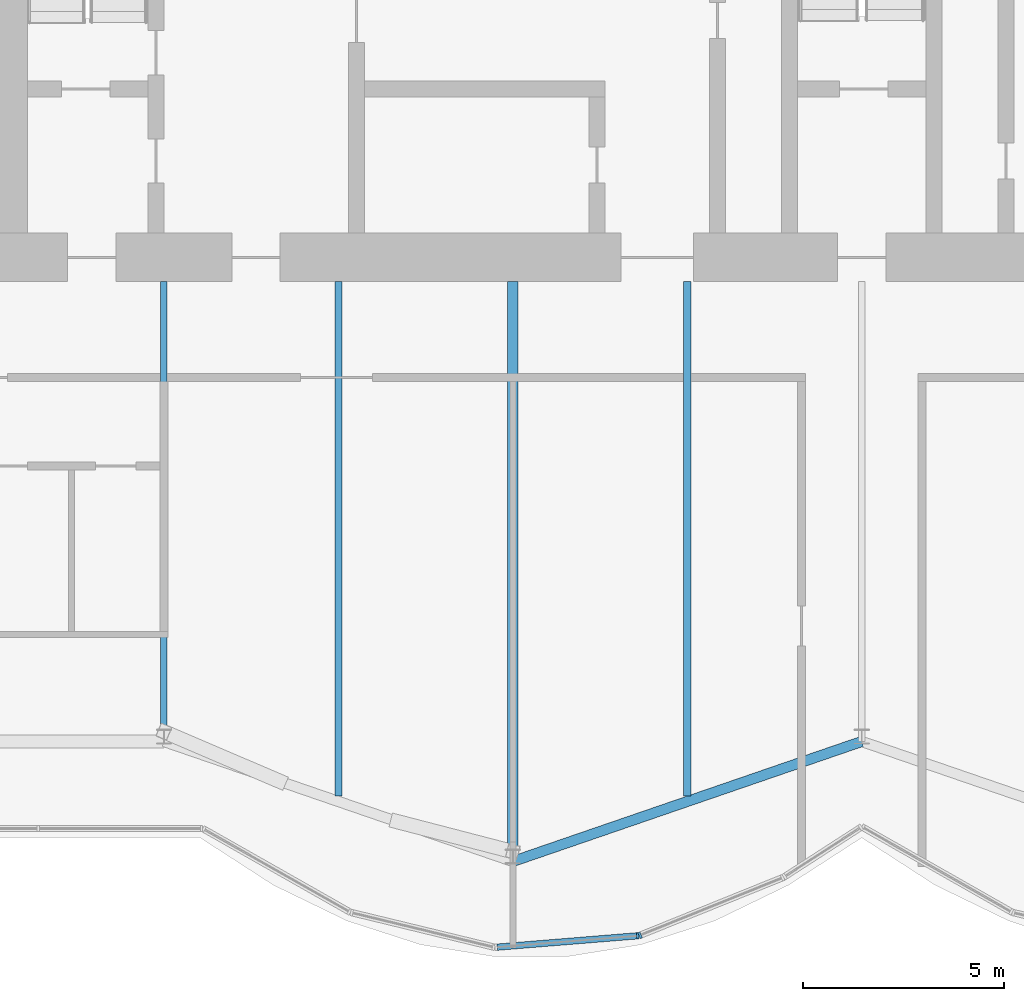
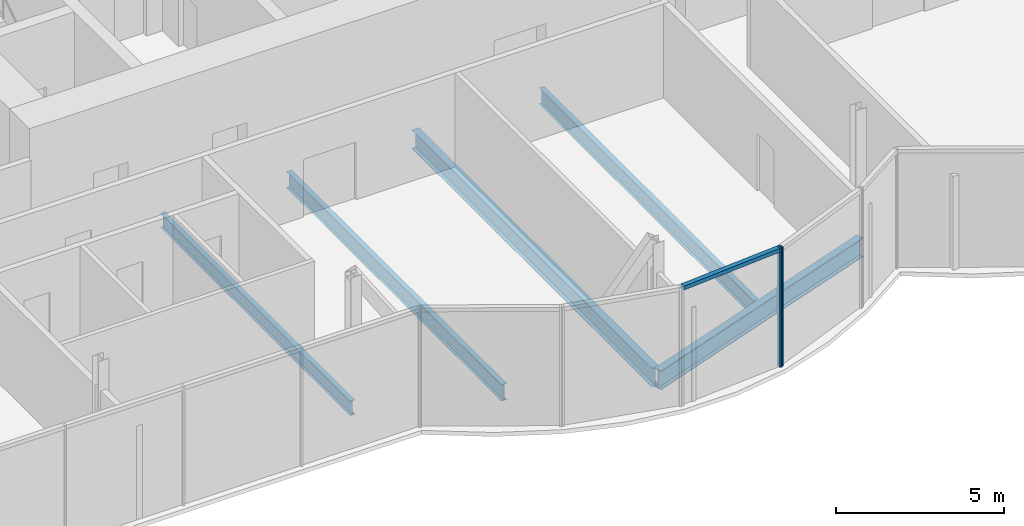
# One storey, part 6 of 18: 5 beams, 3 members, 1 element without a shape of its own.
"""IFC4 building model written with IfcOpenShell, lengths in metres."""

from ifc_helpers import new_model, si_unit, direction, frame, origin, origin_2d, place, context, subcontext, project, spatial, rectangle, i_section, extrude, material, material_profile, profile_set, type_object, element, aggregate, save


model = new_model("IFC4")

# Units and contexts
model_context = context("Model", 3, precision=1e-05, world=origin(), true_north=direction((0.0, 1.0)))
body_context = subcontext(model_context, "Body", "Model", "MODEL_VIEW")
ifc_project = project(units=[si_unit("LENGTHUNIT", "METRE"), si_unit("AREAUNIT", "SQUARE_METRE"), si_unit("VOLUMEUNIT", "CUBIC_METRE"), si_unit("PLANEANGLEUNIT", "RADIAN"), si_unit("MASSUNIT", "GRAM", prefix="KILO")], contexts=[model_context])

# Site, building, storey
site_placement = place(None, origin())
site = spatial("IfcSite", under=ifc_project, at=site_placement, CompositionType="ELEMENT")
building_placement = place(site_placement, origin())
building = spatial("IfcBuilding", under=site, at=building_placement, Name="Bicima Exchange Tower", CompositionType="ELEMENT")
storey_placement = place(building_placement, frame((0.0, 0.0, 302.0)))
storey = spatial("IfcBuildingStorey", under=building, at=storey_placement, Name="L68", CompositionType="ELEMENT", Elevation=302.0)

# Beams
ifc_material_1 = material(Name="Steel ASTM A992 Gr 50", Category="steel")
ifc_material_profile_1 = material_profile(ifc_material_1, i_section(OverallWidth=0.165771484375, OverallDepth=0.5283203125, WebThickness=0.009765625, FlangeThickness=0.013671875, at=origin_2d()))
ifc_profile_set_1 = profile_set([ifc_material_profile_1], Name="Steel ASTM A992 Gr 50")
beam_type_1 = type_object("IfcBeamType", Name="Floor beam W21x50", PredefinedType="JOIST", material=ifc_profile_set_1)
beam_1_placement = place(storey_placement, frame((-17.39990234375, -13.0, -0.414306640625), z_axis=(0.0, -1.0, 0.0), x_axis=(1.0, 0.0, 0.0)))
element("IfcBeam", 1, at=beam_1_placement, inside=storey, type_object=beam_type_1, Name="Floor beam", PredefinedType="JOIST", context=body_context, shape_type="SweptSolid", body=[
    extrude(i_section(OverallWidth=0.165771484375, OverallDepth=0.5283203125, WebThickness=0.009765625, FlangeThickness=0.013671875, at=origin_2d()), origin(), (0.0, 0.0, 1.0), 11.309326171875),
])
ifc_material_profile_2 = material_profile(ifc_material_1, i_section(OverallWidth=0.177978515625, OverallDepth=0.599365234375, WebThickness=0.010009765625, FlangeThickness=0.012939453125, at=origin_2d()))
ifc_profile_set_2 = profile_set([ifc_material_profile_2], Name="Steel ASTM A992 Gr 50")
beam_type_2 = type_object("IfcBeamType", Name="Floor beam W24x55", PredefinedType="JOIST", material=ifc_profile_set_2)
for number, where, z_axis, x_axis, name in (
    (2, (-13.050048828125, -13.0, -0.44970703125), (0.0, -1.0, 0.0), (1.0, 0.0, 0.0), "Floor beam"),
    (3, (-4.35009765625, -13.0, -0.44970703125), (0.0, -1.0, 0.0), (1.0, 0.0, 0.0), "Floor beam"),
):
    element("IfcBeam", number, at=place(storey_placement, frame(where, z_axis=z_axis, x_axis=x_axis)), inside=storey, type_object=beam_type_2, Name=name, PredefinedType="JOIST", context=body_context, shape_type="SweptSolid", body=[
        extrude(i_section(OverallWidth=0.177978515625, OverallDepth=0.599365234375, WebThickness=0.010009765625, FlangeThickness=0.012939453125, at=origin_2d()), origin(), (0.0, 0.0, 1.0), 12.831787109375),
    ])
ifc_material_profile_3 = material_profile(ifc_material_1, i_section(OverallWidth=0.25390625, OverallDepth=0.67822265625, WebThickness=0.01171875, FlangeThickness=0.016357421875, at=origin_2d()))
ifc_profile_set_3 = profile_set([ifc_material_profile_3], Name="Steel ASTM A992 Gr 50")
beam_type_3 = type_object("IfcBeamType", Name="Floor beam W27x84", PredefinedType="JOIST", material=ifc_profile_set_3)
beam_2_placement = place(storey_placement, frame((-8.699951171875, -13.0, -0.489013671875), z_axis=(0.0, -1.0, 0.0), x_axis=(1.0, 0.0, 0.0)))
element("IfcBeam", 4, at=beam_2_placement, inside=storey, type_object=beam_type_3, Name="Floor beam", PredefinedType="JOIST", context=body_context, shape_type="SweptSolid", body=[
    extrude(i_section(OverallWidth=0.25390625, OverallDepth=0.67822265625, WebThickness=0.01171875, FlangeThickness=0.016357421875, at=origin_2d()), origin(), (0.0, 0.0, 1.0), 14.327392578125),
])
ifc_material_profile_4 = material_profile(ifc_material_1, i_section(OverallWidth=0.256591796875, OverallDepth=0.693359375, WebThickness=0.014404296875, FlangeThickness=0.023681640625, at=origin_2d()))
ifc_profile_set_4 = profile_set([ifc_material_profile_4], Name="Steel ASTM A992 Gr 50")
beam_type_4 = type_object("IfcBeamType", Name="Front girder W27x114", PredefinedType="BEAM", material=ifc_profile_set_4)
beam_3_placement = place(storey_placement, frame((-8.699951171875, -27.463134765625, -0.49658203125), z_axis=(0.945666456746, 0.325138359143, 0.0), x_axis=(-0.325138359143, 0.945666456746, 0.0)))
element("IfcBeam", 5, at=beam_3_placement, inside=storey, type_object=beam_type_4, Name="Front girder", PredefinedType="BEAM", context=body_context, shape_type="SweptSolid", body=[
    extrude(i_section(OverallWidth=0.256591796875, OverallDepth=0.693359375, WebThickness=0.014404296875, FlangeThickness=0.023681640625, at=origin_2d()), origin(), (0.0, 0.0, 1.0), 9.19970703125),
])

# Curtain wall, members
ifc_material_2 = material(Name="Anodised bronze aluminium", Category="aluminium")
curtain_wall_type = type_object("IfcCurtainWallType", Name="Front glass wall", PredefinedType="NOTDEFINED", material=ifc_material_2)
curtain_wall_placement = place(storey_placement, origin())
curtain_wall = element("IfcCurtainWall", 6, at=curtain_wall_placement, inside=storey, type_object=curtain_wall_type, Name="Front glass wall L68 run 6", PredefinedType="NOTDEFINED")
ifc_material_profile_5 = material_profile(ifc_material_2, rectangle(XDim=0.159912109375, YDim=0.06005859375, at=origin_2d()))
ifc_profile_set_5 = profile_set([ifc_material_profile_5], Name="Anodised bronze aluminium")
member_type_1 = type_object("IfcMemberType", Name="Front glass wall mullion 60 x 160", PredefinedType="MULLION", material=ifc_profile_set_5)
member_1_placement = place(storey_placement, frame((-5.583984375, -29.31689453125, 0.0), z_axis=(0.0, 0.0, 1.0), x_axis=(-0.080588612633, 0.99674744821, 0.0)))
member_1 = element("IfcMember", 7, at=member_1_placement, type_object=member_type_1, Name="Front glass wall mullion 2", PredefinedType="MULLION", context=body_context, shape_type="SweptSolid", body=[
    extrude(rectangle(XDim=0.159912109375, YDim=0.06005859375, at=origin_2d()), origin(), (0.0, 0.0, 1.0), 4.35009765625),
])
member_2_placement = place(storey_placement, frame((-5.526123046875, -29.30322265625, 0.0), z_axis=(0.0, 0.0, 1.0), x_axis=(-0.374705304, 0.92714396679, 0.0)))
member_2 = element("IfcMember", 8, at=member_2_placement, type_object=member_type_1, Name="Front glass wall mullion 1", PredefinedType="MULLION", context=body_context, shape_type="SweptSolid", body=[
    extrude(rectangle(XDim=0.159912109375, YDim=0.06005859375, at=origin_2d()), origin(), (0.0, 0.0, 1.0), 4.35009765625),
])
ifc_material_profile_6 = material_profile(ifc_material_2, rectangle(XDim=0.159912109375, YDim=0.139892578125, at=origin_2d()))
ifc_profile_set_6 = profile_set([ifc_material_profile_6], Name="Anodised bronze aluminium")
member_type_2 = type_object("IfcMemberType", Name="Front glass wall transom 140 x 160", PredefinedType="USERDEFINED", material=ifc_profile_set_6)
member_3_placement = place(storey_placement, frame((-9.08837890625, -29.60009765625, 4.280029296875), z_axis=(0.9967456465, 0.080610893699, 0.0), x_axis=(-0.080610893699, 0.9967456465, 0.0)))
member_3 = element("IfcMember", 9, at=member_3_placement, type_object=member_type_2, Name="Front glass wall transom 1.1", ObjectType="TRANSOM", PredefinedType="USERDEFINED", context=body_context, shape_type="SweptSolid", body=[
    extrude(rectangle(XDim=0.159912109375, YDim=0.139892578125, at=origin_2d()), origin(), (0.0, 0.0, 1.0), 3.48583984375),
])
aggregate(curtain_wall, [member_1, member_3, member_2])

save(model, "model.ifc")
